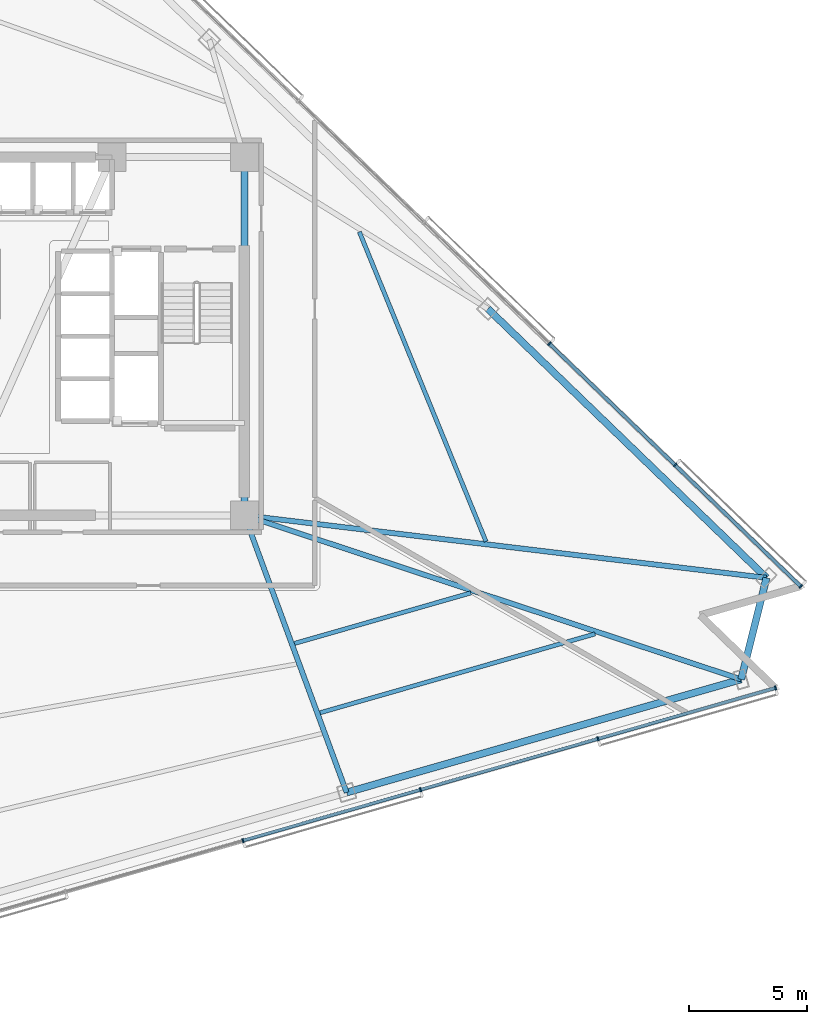
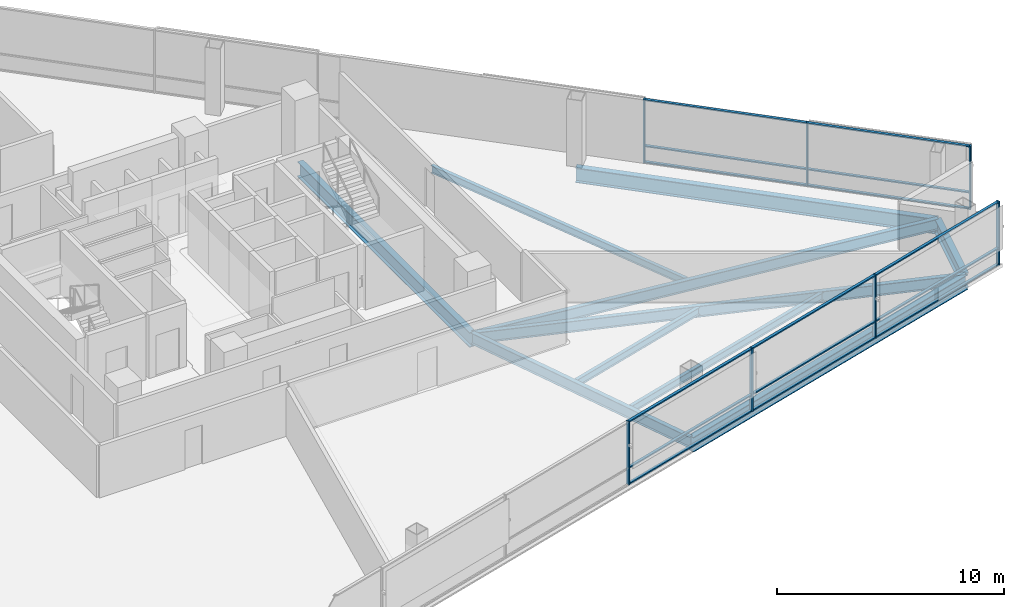
# One storey, part 5 of 16: 22 members, 10 beams, 2 elements without a shape of their own.
"""IFC4 building model written with IfcOpenShell, lengths in metres."""

from ifc_helpers import new_model, si_unit, direction, frame, origin, origin_2d, place, context, subcontext, project, spatial, rectangle, i_section, extrude, material, layer, layer_set, material_profile, profile_set, type_object, element, aggregate, save


model = new_model("IFC4")

# Units and contexts
model_context = context("Model", 3, precision=1e-05, world=origin(), true_north=direction((0.0, 1.0)))
body_context = subcontext(model_context, "Body", "Model", "MODEL_VIEW")
ifc_project = project(units=[si_unit("LENGTHUNIT", "METRE"), si_unit("AREAUNIT", "SQUARE_METRE"), si_unit("VOLUMEUNIT", "CUBIC_METRE"), si_unit("PLANEANGLEUNIT", "RADIAN"), si_unit("MASSUNIT", "GRAM", prefix="KILO")], contexts=[model_context])

# Site, building, storey
site_placement = place(None, origin())
site = spatial("IfcSite", under=ifc_project, at=site_placement, CompositionType="ELEMENT")
building_placement = place(site_placement, origin())
building = spatial("IfcBuilding", under=site, at=building_placement, Name="Tharavind Bronze Gate", CompositionType="ELEMENT")
storey_placement = place(building_placement, frame((0.0, 0.0, 104.10009765625)))
storey = spatial("IfcBuildingStorey", under=building, at=storey_placement, Name="L26", CompositionType="ELEMENT", Elevation=104.10009765625)

# Curtain wall, members
ifc_material_1 = material(Name="Anodised Bronze Aluminium", Category="aluminium")
ifc_layer = layer(ifc_material_1, 0.219970703125)
ifc_layer_set = layer_set([ifc_layer], Name="Anodised Bronze Aluminium")
curtain_wall_type = type_object("IfcCurtainWallType", Name="UNITISED CURTAIN WALL LOWER OFFICE", PredefinedType="USERDEFINED", material=ifc_layer_set)
curtain_wall_1_placement = place(storey_placement, origin())
curtain_wall_1 = element("IfcCurtainWall", 1, at=curtain_wall_1_placement, inside=storey, type_object=curtain_wall_type, Name="L26 unitised curtain wall lower office CW-L26-S2", ObjectType="UNITISED CURTAIN WALL", PredefinedType="USERDEFINED")
member_type_1 = type_object("IfcMemberType", Name="CURTAIN WALL BRONZE MULLION 65X180", PredefinedType="MULLION", material=ifc_material_1)
member_1_placement = place(storey_placement, frame((8.83837890625, -21.406982421875, 0.0), z_axis=(0.0, 0.0, 1.0), x_axis=(0.961261695938, 0.275637355817, 0.0)))
member_1 = element("IfcMember", 2, at=member_1_placement, type_object=member_type_1, Name="CW-L26-S2 mullion 5", PredefinedType="MULLION", context=body_context, shape_type="SweptSolid", body=[
    extrude(rectangle(XDim=0.06494140625, YDim=0.179931640625, at=origin_2d()), origin(), (0.0, 0.0, 1.0), 3.409912109375),
])
member_2_placement = place(storey_placement, frame((16.371826171875, -19.246826171875, 0.0), z_axis=(0.0, 0.0, 1.0), x_axis=(0.961261695938, 0.275637355817, 0.0)))
member_2 = element("IfcMember", 3, at=member_2_placement, type_object=member_type_1, Name="CW-L26-S2 mullion 6", PredefinedType="MULLION", context=body_context, shape_type="SweptSolid", body=[
    extrude(rectangle(XDim=0.06494140625, YDim=0.179931640625, at=origin_2d()), origin(), (0.0, 0.0, 1.0), 3.409912109375),
])
member_3_placement = place(storey_placement, frame((23.9052734375, -17.086669921875, 0.0), z_axis=(0.0, 0.0, 1.0), x_axis=(0.961261695938, 0.275637355817, 0.0)))
member_3 = element("IfcMember", 4, at=member_3_placement, type_object=member_type_1, Name="CW-L26-S2 mullion 7", PredefinedType="MULLION", context=body_context, shape_type="SweptSolid", body=[
    extrude(rectangle(XDim=0.06494140625, YDim=0.179931640625, at=origin_2d()), origin(), (0.0, 0.0, 1.0), 3.409912109375),
])
member_4_placement = place(storey_placement, frame((31.438720703125, -14.926513671875, 0.0), z_axis=(0.0, 0.0, 1.0), x_axis=(0.961261695938, 0.275637355817, 0.0)))
member_4 = element("IfcMember", 5, at=member_4_placement, type_object=member_type_1, Name="CW-L26-S2 mullion 8", PredefinedType="MULLION", context=body_context, shape_type="SweptSolid", body=[
    extrude(rectangle(XDim=0.06494140625, YDim=0.179931640625, at=origin_2d()), origin(), (0.0, 0.0, 1.0), 3.409912109375),
])

curtain_wall_2_placement = place(storey_placement, origin())
curtain_wall_2 = element("IfcCurtainWall", 6, at=curtain_wall_2_placement, inside=storey, type_object=curtain_wall_type, Name="L26 unitised curtain wall lower office CW-L26-S3", ObjectType="UNITISED CURTAIN WALL", PredefinedType="USERDEFINED")
member_5_placement = place(storey_placement, frame((32.512939453125, -10.618408203125, 0.0), z_axis=(0.0, 0.0, 1.0), x_axis=(-0.719341012745, 0.694657114973, 0.0)))
member_5 = element("IfcMember", 7, at=member_5_placement, type_object=member_type_1, Name="CW-L26-S3 mullion 1", PredefinedType="MULLION", context=body_context, shape_type="SweptSolid", body=[
    extrude(rectangle(XDim=0.06494140625, YDim=0.179931640625, at=origin_2d()), origin(), (0.0, 0.0, 1.0), 3.409912109375),
])
member_6_placement = place(storey_placement, frame((27.1796875, -5.468017578125, 0.0), z_axis=(0.0, 0.0, 1.0), x_axis=(-0.719341012745, 0.694657114973, 0.0)))
member_6 = element("IfcMember", 8, at=member_6_placement, type_object=member_type_1, Name="CW-L26-S3 mullion 2", PredefinedType="MULLION", context=body_context, shape_type="SweptSolid", body=[
    extrude(rectangle(XDim=0.06494140625, YDim=0.179931640625, at=origin_2d()), origin(), (0.0, 0.0, 1.0), 3.409912109375),
])
member_7_placement = place(storey_placement, frame((21.84619140625, -0.317626953125, 0.0), z_axis=(0.0, 0.0, 1.0), x_axis=(-0.719341012745, 0.694657114973, 0.0)))
member_7 = element("IfcMember", 9, at=member_7_placement, type_object=member_type_1, Name="CW-L26-S3 mullion 3", PredefinedType="MULLION", context=body_context, shape_type="SweptSolid", body=[
    extrude(rectangle(XDim=0.06494140625, YDim=0.179931640625, at=origin_2d()), origin(), (0.0, 0.0, 1.0), 3.409912109375),
])

# Member
member_type_2 = type_object("IfcMemberType", Name="CURTAIN WALL BRONZE TRANSOM 65X140", PredefinedType="USERDEFINED", material=ifc_material_1)
member_8_placement = place(storey_placement, frame((12.60498046875, -20.326904296875, 0.0), z_axis=(0.0, 0.0, 1.0), x_axis=(0.961261695938, 0.275637355817, 0.0)))
member_8 = element("IfcMember", 10, at=member_8_placement, type_object=member_type_2, Name="CW-L26-S2 transom TB5", ObjectType="TRANSOM", PredefinedType="USERDEFINED", context=body_context, shape_type="SweptSolid", body=[
    extrude(rectangle(XDim=7.7841796875, YDim=0.139892578125, at=origin_2d()), origin(), (0.0, 0.0, 1.0), 0.06494140625),
])

member_9_placement = place(storey_placement, frame((12.60498046875, -20.326904296875, 0.867431640625), z_axis=(0.0, 0.0, 1.0), x_axis=(0.961261695938, 0.275637355817, 0.0)))
member_9 = element("IfcMember", 11, at=member_9_placement, type_object=member_type_2, Name="CW-L26-S2 transom TS5", ObjectType="TRANSOM", PredefinedType="USERDEFINED", context=body_context, shape_type="SweptSolid", body=[
    extrude(rectangle(XDim=7.7841796875, YDim=0.139892578125, at=origin_2d()), origin(), (0.0, 0.0, 1.0), 0.06494140625),
])

member_10_placement = place(storey_placement, frame((12.60498046875, -20.326904296875, 3.344970703125), z_axis=(0.0, 0.0, 1.0), x_axis=(0.961261695938, 0.275637355817, 0.0)))
member_10 = element("IfcMember", 12, at=member_10_placement, type_object=member_type_2, Name="CW-L26-S2 transom TT5", ObjectType="TRANSOM", PredefinedType="USERDEFINED", context=body_context, shape_type="SweptSolid", body=[
    extrude(rectangle(XDim=7.7841796875, YDim=0.139892578125, at=origin_2d()), origin(), (0.0, 0.0, 1.0), 0.06494140625),
])

member_11_placement = place(storey_placement, frame((20.138671875, -18.166748046875, 0.0), z_axis=(0.0, 0.0, 1.0), x_axis=(0.961261695938, 0.275637355817, 0.0)))
member_11 = element("IfcMember", 13, at=member_11_placement, type_object=member_type_2, Name="CW-L26-S2 transom TB6", ObjectType="TRANSOM", PredefinedType="USERDEFINED", context=body_context, shape_type="SweptSolid", body=[
    extrude(rectangle(XDim=7.7841796875, YDim=0.139892578125, at=origin_2d()), origin(), (0.0, 0.0, 1.0), 0.06494140625),
])

member_12_placement = place(storey_placement, frame((20.138671875, -18.166748046875, 0.867431640625), z_axis=(0.0, 0.0, 1.0), x_axis=(0.961261695938, 0.275637355817, 0.0)))
member_12 = element("IfcMember", 14, at=member_12_placement, type_object=member_type_2, Name="CW-L26-S2 transom TS6", ObjectType="TRANSOM", PredefinedType="USERDEFINED", context=body_context, shape_type="SweptSolid", body=[
    extrude(rectangle(XDim=7.7841796875, YDim=0.139892578125, at=origin_2d()), origin(), (0.0, 0.0, 1.0), 0.06494140625),
])

member_13_placement = place(storey_placement, frame((20.138671875, -18.166748046875, 3.344970703125), z_axis=(0.0, 0.0, 1.0), x_axis=(0.961261695938, 0.275637355817, 0.0)))
member_13 = element("IfcMember", 15, at=member_13_placement, type_object=member_type_2, Name="CW-L26-S2 transom TT6", ObjectType="TRANSOM", PredefinedType="USERDEFINED", context=body_context, shape_type="SweptSolid", body=[
    extrude(rectangle(XDim=7.7841796875, YDim=0.139892578125, at=origin_2d()), origin(), (0.0, 0.0, 1.0), 0.06494140625),
])

member_14_placement = place(storey_placement, frame((27.672119140625, -16.006591796875, 0.0), z_axis=(0.0, 0.0, 1.0), x_axis=(0.961261695938, 0.275637355817, 0.0)))
member_14 = element("IfcMember", 16, at=member_14_placement, type_object=member_type_2, Name="CW-L26-S2 transom TB7", ObjectType="TRANSOM", PredefinedType="USERDEFINED", context=body_context, shape_type="SweptSolid", body=[
    extrude(rectangle(XDim=7.7841796875, YDim=0.139892578125, at=origin_2d()), origin(), (0.0, 0.0, 1.0), 0.06494140625),
])

member_15_placement = place(storey_placement, frame((27.672119140625, -16.006591796875, 0.867431640625), z_axis=(0.0, 0.0, 1.0), x_axis=(0.961261695938, 0.275637355817, 0.0)))
member_15 = element("IfcMember", 17, at=member_15_placement, type_object=member_type_2, Name="CW-L26-S2 transom TS7", ObjectType="TRANSOM", PredefinedType="USERDEFINED", context=body_context, shape_type="SweptSolid", body=[
    extrude(rectangle(XDim=7.7841796875, YDim=0.139892578125, at=origin_2d()), origin(), (0.0, 0.0, 1.0), 0.06494140625),
])

member_16_placement = place(storey_placement, frame((27.672119140625, -16.006591796875, 3.344970703125), z_axis=(0.0, 0.0, 1.0), x_axis=(0.961261695938, 0.275637355817, 0.0)))
member_16 = element("IfcMember", 18, at=member_16_placement, type_object=member_type_2, Name="CW-L26-S2 transom TT7", ObjectType="TRANSOM", PredefinedType="USERDEFINED", context=body_context, shape_type="SweptSolid", body=[
    extrude(rectangle(XDim=7.7841796875, YDim=0.139892578125, at=origin_2d()), origin(), (0.0, 0.0, 1.0), 0.06494140625),
])

aggregate(curtain_wall_1, [member_1, member_2, member_3, member_4, member_8, member_9, member_10, member_11, member_12, member_13, member_14, member_15, member_16])

member_17_placement = place(storey_placement, frame((29.84619140625, -8.043212890625, 0.0), z_axis=(0.0, 0.0, 1.0), x_axis=(-0.719341012745, 0.694657114973, 0.0)))
member_17 = element("IfcMember", 19, at=member_17_placement, type_object=member_type_2, Name="CW-L26-S3 transom TB1", ObjectType="TRANSOM", PredefinedType="USERDEFINED", context=body_context, shape_type="SweptSolid", body=[
    extrude(rectangle(XDim=7.361083984375, YDim=0.139892578125, at=origin_2d()), origin(), (0.0, 0.0, 1.0), 0.06494140625),
])

member_18_placement = place(storey_placement, frame((29.84619140625, -8.043212890625, 0.867431640625), z_axis=(0.0, 0.0, 1.0), x_axis=(-0.719341012745, 0.694657114973, 0.0)))
member_18 = element("IfcMember", 20, at=member_18_placement, type_object=member_type_2, Name="CW-L26-S3 transom TS1", ObjectType="TRANSOM", PredefinedType="USERDEFINED", context=body_context, shape_type="SweptSolid", body=[
    extrude(rectangle(XDim=7.361083984375, YDim=0.139892578125, at=origin_2d()), origin(), (0.0, 0.0, 1.0), 0.06494140625),
])

member_19_placement = place(storey_placement, frame((29.84619140625, -8.043212890625, 3.344970703125), z_axis=(0.0, 0.0, 1.0), x_axis=(-0.719341012745, 0.694657114973, 0.0)))
member_19 = element("IfcMember", 21, at=member_19_placement, type_object=member_type_2, Name="CW-L26-S3 transom TT1", ObjectType="TRANSOM", PredefinedType="USERDEFINED", context=body_context, shape_type="SweptSolid", body=[
    extrude(rectangle(XDim=7.361083984375, YDim=0.139892578125, at=origin_2d()), origin(), (0.0, 0.0, 1.0), 0.06494140625),
])

member_20_placement = place(storey_placement, frame((24.512939453125, -2.892822265625, 0.0), z_axis=(0.0, 0.0, 1.0), x_axis=(-0.719341012745, 0.694657114973, 0.0)))
member_20 = element("IfcMember", 22, at=member_20_placement, type_object=member_type_2, Name="CW-L26-S3 transom TB2", ObjectType="TRANSOM", PredefinedType="USERDEFINED", context=body_context, shape_type="SweptSolid", body=[
    extrude(rectangle(XDim=7.361083984375, YDim=0.139892578125, at=origin_2d()), origin(), (0.0, 0.0, 1.0), 0.06494140625),
])

member_21_placement = place(storey_placement, frame((24.512939453125, -2.892822265625, 0.867431640625), z_axis=(0.0, 0.0, 1.0), x_axis=(-0.719341012745, 0.694657114973, 0.0)))
member_21 = element("IfcMember", 23, at=member_21_placement, type_object=member_type_2, Name="CW-L26-S3 transom TS2", ObjectType="TRANSOM", PredefinedType="USERDEFINED", context=body_context, shape_type="SweptSolid", body=[
    extrude(rectangle(XDim=7.361083984375, YDim=0.139892578125, at=origin_2d()), origin(), (0.0, 0.0, 1.0), 0.06494140625),
])

member_22_placement = place(storey_placement, frame((24.512939453125, -2.892822265625, 3.344970703125), z_axis=(0.0, 0.0, 1.0), x_axis=(-0.719341012745, 0.694657114973, 0.0)))
member_22 = element("IfcMember", 24, at=member_22_placement, type_object=member_type_2, Name="CW-L26-S3 transom TT2", ObjectType="TRANSOM", PredefinedType="USERDEFINED", context=body_context, shape_type="SweptSolid", body=[
    extrude(rectangle(XDim=7.361083984375, YDim=0.139892578125, at=origin_2d()), origin(), (0.0, 0.0, 1.0), 0.06494140625),
])

aggregate(curtain_wall_2, [member_5, member_6, member_7, member_17, member_18, member_19, member_20, member_21, member_22])

# Beams
ifc_material_2 = material(Name="Steel S355", Category="steel")
ifc_material_profile_1 = material_profile(ifc_material_2, i_section(OverallWidth=0.219970703125, OverallDepth=0.60009765625, WebThickness=0.011962890625, FlangeThickness=0.01904296875, at=origin_2d()), Name="IPE600")
ifc_profile_set_1 = profile_set([ifc_material_profile_1], Name="Steel S355")
beam_type_1 = type_object("IfcBeamType", Name="PRIMARY GIRDER IPE600", PredefinedType="USERDEFINED", material=ifc_profile_set_1)
beam_1_placement = place(storey_placement, frame((13.23779296875, -19.365234375, -0.489990234375), z_axis=(-0.345941741317, 0.938255994713, 0.0), x_axis=(-0.938255994713, -0.345941741317, 0.0)))
element("IfcBeam", 25, at=beam_1_placement, inside=storey, type_object=beam_type_1, Name="L26 primary girder ipe600 BM-L26-RAD07", ObjectType="GIRDER", PredefinedType="USERDEFINED", context=body_context, shape_type="SweptSolid", body=[
    extrude(i_section(OverallWidth=0.219970703125, OverallDepth=0.60009765625, WebThickness=0.011962890625, FlangeThickness=0.01904296875, at=origin_2d()), origin(), (0.0, 0.0, 1.0), 12.539306640625),
])
beam_2_placement = place(storey_placement, frame((29.9833984375, -14.563720703125, -0.489990234375), z_axis=(-0.949547271017, 0.313623946956, 0.0), x_axis=(-0.313623946956, -0.949547271017, 0.0)))
element("IfcBeam", 26, at=beam_2_placement, inside=storey, type_object=beam_type_1, Name="L26 primary girder ipe600 BM-L26-RAD08", ObjectType="GIRDER", PredefinedType="USERDEFINED", context=body_context, shape_type="SweptSolid", body=[
    extrude(i_section(OverallWidth=0.219970703125, OverallDepth=0.60009765625, WebThickness=0.011962890625, FlangeThickness=0.01904296875, at=origin_2d()), origin(), (0.0, 0.0, 1.0), 22.20361328125),
])
beam_3_placement = place(storey_placement, frame((31.0576171875, -10.255615234375, -0.489990234375), z_axis=(-0.992894893645, 0.118994664472, 0.0), x_axis=(-0.118994664472, -0.992894893645, 0.0)))
element("IfcBeam", 27, at=beam_3_placement, inside=storey, type_object=beam_type_1, Name="L26 primary girder ipe600 BM-L26-RAD09", ObjectType="GIRDER", PredefinedType="USERDEFINED", context=body_context, shape_type="SweptSolid", body=[
    extrude(i_section(OverallWidth=0.219970703125, OverallDepth=0.60009765625, WebThickness=0.011962890625, FlangeThickness=0.01904296875, at=origin_2d()), origin(), (0.0, 0.0, 1.0), 22.316162109375),
])
ifc_material_profile_2 = material_profile(ifc_material_2, i_section(OverallWidth=0.300048828125, OverallDepth=0.800048828125, WebThickness=0.017578125, FlangeThickness=0.032958984375, at=origin_2d()), Name="HE800B")
ifc_profile_set_2 = profile_set([ifc_material_profile_2], Name="Steel S355")
beam_type_2 = type_object("IfcBeamType", Name="RING GIRDER HE800B", PredefinedType="USERDEFINED", material=ifc_profile_set_2)
beam_4_placement = place(storey_placement, frame((8.89990234375, -7.60009765625, -0.590087890625), z_axis=(0.0, 1.0, 0.0), x_axis=(-1.0, 0.0, 0.0)))
element("IfcBeam", 28, at=beam_4_placement, inside=storey, type_object=beam_type_2, Name="L26 ring girder he800b BM-L26-CR3", ObjectType="GIRDER", PredefinedType="USERDEFINED", context=body_context, shape_type="SweptSolid", body=[
    extrude(i_section(OverallWidth=0.300048828125, OverallDepth=0.800048828125, WebThickness=0.017578125, FlangeThickness=0.032958984375, at=origin_2d()), origin(), (0.0, 0.0, 1.0), 15.2001953125),
])
beam_5_placement = place(storey_placement, frame((13.23779296875, -19.365234375, -0.590087890625), z_axis=(0.961264911639, 0.275626141088, 0.0), x_axis=(-0.275626141088, 0.961264911639, 0.0)))
element("IfcBeam", 29, at=beam_5_placement, inside=storey, type_object=beam_type_2, Name="L26 ring girder he800b BM-L26-PRG07", ObjectType="GIRDER", PredefinedType="USERDEFINED", context=body_context, shape_type="SweptSolid", body=[
    extrude(i_section(OverallWidth=0.300048828125, OverallDepth=0.800048828125, WebThickness=0.017578125, FlangeThickness=0.032958984375, at=origin_2d()), origin(), (0.0, 0.0, 1.0), 17.42041015625),
])
beam_6_placement = place(storey_placement, frame((29.9833984375, -14.563720703125, -0.590087890625), z_axis=(0.241940431812, 0.970291104491, 0.0), x_axis=(-0.970291104491, 0.241940431812, 0.0)))
element("IfcBeam", 30, at=beam_6_placement, inside=storey, type_object=beam_type_2, Name="L26 ring girder he800b BM-L26-PRG08", ObjectType="GIRDER", PredefinedType="USERDEFINED", context=body_context, shape_type="SweptSolid", body=[
    extrude(i_section(OverallWidth=0.300048828125, OverallDepth=0.800048828125, WebThickness=0.017578125, FlangeThickness=0.032958984375, at=origin_2d()), origin(), (0.0, 0.0, 1.0), 4.43994140625),
])
beam_7_placement = place(storey_placement, frame((31.0576171875, -10.255615234375, -0.590087890625), z_axis=(-0.719336950964, 0.694661321061, 0.0), x_axis=(-0.694661321061, -0.719336950964, 0.0)))
element("IfcBeam", 31, at=beam_7_placement, inside=storey, type_object=beam_type_2, Name="L26 ring girder he800b BM-L26-PRG09", ObjectType="GIRDER", PredefinedType="USERDEFINED", context=body_context, shape_type="SweptSolid", body=[
    extrude(i_section(OverallWidth=0.300048828125, OverallDepth=0.800048828125, WebThickness=0.017578125, FlangeThickness=0.032958984375, at=origin_2d()), origin(), (0.0, 0.0, 1.0), 16.433837890625),
])
ifc_material_profile_3 = material_profile(ifc_material_2, i_section(OverallWidth=0.179931640625, OverallDepth=0.39990234375, WebThickness=0.008544921875, FlangeThickness=0.013427734375, at=origin_2d()), Name="IPE400")
ifc_profile_set_3 = profile_set([ifc_material_profile_3], Name="Steel S355")
beam_type_3 = type_object("IfcBeamType", Name="SECONDARY FLOOR JOIST IPE400", PredefinedType="JOIST", material=ifc_profile_set_3)
beam_8_placement = place(storey_placement, frame((11.027099609375, -13.039306640625, -0.39013671875), z_axis=(0.961264410597, 0.275627888501, 0.0), x_axis=(-0.275627888501, 0.961264410597, 0.0)))
element("IfcBeam", 32, at=beam_8_placement, inside=storey, type_object=beam_type_3, Name="L26 secondary floor joist ipe400 BM-L26-JSTA07", PredefinedType="JOIST", context=body_context, shape_type="SweptSolid", body=[
    extrude(i_section(OverallWidth=0.179931640625, OverallDepth=0.39990234375, WebThickness=0.008544921875, FlangeThickness=0.013427734375, at=origin_2d()), origin(), (0.0, 0.0, 1.0), 7.78662109375),
])
beam_9_placement = place(storey_placement, frame((12.111328125, -15.980712890625, -0.39013671875), z_axis=(0.961258694637, 0.275647822385, 0.0), x_axis=(-0.275647822385, 0.961258694637, 0.0)))
element("IfcBeam", 33, at=beam_9_placement, inside=storey, type_object=beam_type_3, Name="L26 secondary floor joist ipe400 BM-L26-JSTB07", PredefinedType="JOIST", context=body_context, shape_type="SweptSolid", body=[
    extrude(i_section(OverallWidth=0.179931640625, OverallDepth=0.39990234375, WebThickness=0.008544921875, FlangeThickness=0.013427734375, at=origin_2d()), origin(), (0.0, 0.0, 1.0), 12.14208984375),
])
beam_10_placement = place(storey_placement, frame((19.154052734375, -8.714599609375, -0.39013671875), z_axis=(-0.378556522094, 0.925578175834, 0.0), x_axis=(-0.925578175834, -0.378556522094, 0.0)))
element("IfcBeam", 34, at=beam_10_placement, inside=storey, type_object=beam_type_3, Name="L26 secondary floor joist ipe400 BM-L26-JSTA09", PredefinedType="JOIST", context=body_context, shape_type="SweptSolid", body=[
    extrude(i_section(OverallWidth=0.179931640625, OverallDepth=0.39990234375, WebThickness=0.008544921875, FlangeThickness=0.013427734375, at=origin_2d()), origin(), (0.0, 0.0, 1.0), 14.19921875),
])

save(model, "model.ifc")
